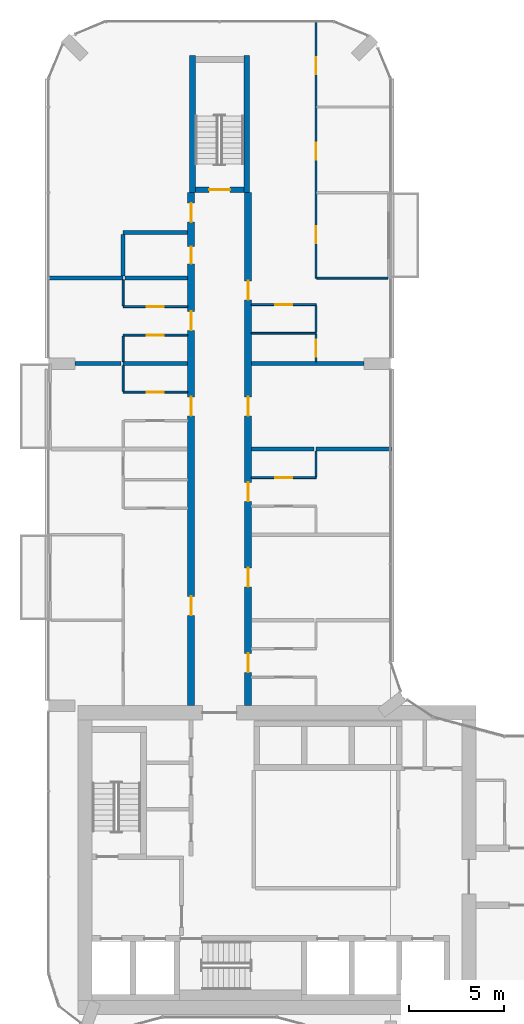
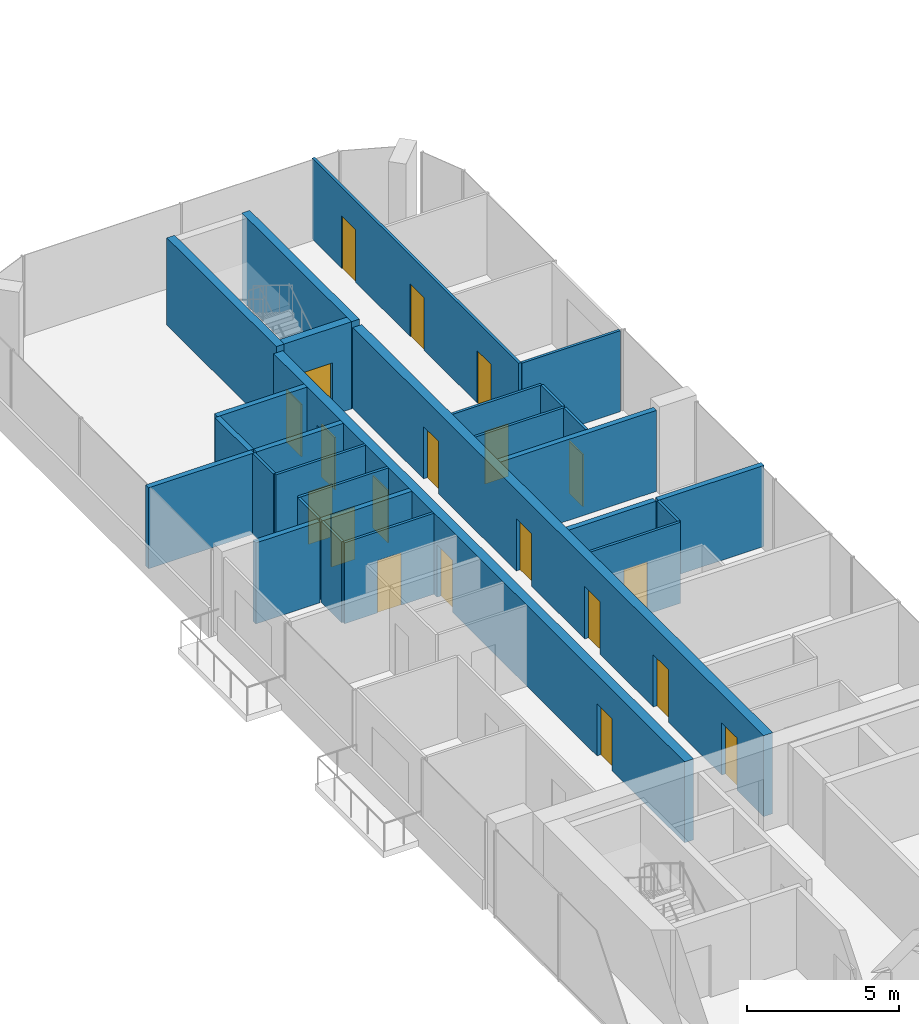
# One storey, part 17 of 24: 28 walls, 20 doors, 20 openings.
"""IFC4 building model written with IfcOpenShell, lengths in metres."""

from ifc_helpers import new_model, si_unit, direction, frame, frame_2d, origin, place, context, subcontext, project, spatial, rectangle, extrude, material, layer, layer_set, type_object, element, fill, save


model = new_model("IFC4")

# Units and contexts
model_context = context("Model", 3, precision=1e-05, world=origin(), true_north=direction((0.0, 1.0)))
body_context = subcontext(model_context, "Body", "Model", "MODEL_VIEW")
ifc_project = project(units=[si_unit("LENGTHUNIT", "METRE"), si_unit("AREAUNIT", "SQUARE_METRE"), si_unit("VOLUMEUNIT", "CUBIC_METRE"), si_unit("PLANEANGLEUNIT", "RADIAN"), si_unit("MASSUNIT", "GRAM", prefix="KILO")], contexts=[model_context])

# Site, building, storey
site_placement = place(None, origin())
site = spatial("IfcSite", under=ifc_project, at=site_placement, CompositionType="ELEMENT")
building_placement = place(site_placement, origin())
building = spatial("IfcBuilding", under=site, at=building_placement, Name="Plateau Cross Towers", CompositionType="ELEMENT")
storey_placement = place(building_placement, frame((0.0, 0.0, 44.300048828125)))
storey = spatial("IfcBuildingStorey", under=building, at=storey_placement, Name="L10", CompositionType="ELEMENT", Elevation=44.300048828125)

# Wall, openings, doors
ifc_material_1 = material(Name="Concrete C60/75", Category="concrete")
ifc_layer_1 = layer(ifc_material_1, 0.35009765625)
ifc_layer_set_1 = layer_set([ifc_layer_1], Name="Concrete C60/75")
wall_type_1 = type_object("IfcWallType", Name="Corridor wall 350", PredefinedType="SHEAR", material=ifc_layer_set_1)
wall_1_placement = place(storey_placement, frame((7.5, 18.0, 0.0), z_axis=(0.0, 0.0, 1.0), x_axis=(0.0, 1.0, 0.0)))
wall_1 = element("IfcWall", 1, at=wall_1_placement, inside=storey, type_object=wall_type_1, Name="A-cw-W1@L10", PredefinedType="SHEAR", context=body_context, shape_type="SweptSolid", body=[
    extrude(rectangle(XDim=27.0, YDim=0.35009765625, at=frame_2d((13.5, 0.0))), origin(), (0.0, 0.0, 1.0), 3.25),
])
opening_1_placement = place(wall_1_placement, frame((4.75, 0.0, 0.0)))
opening_1 = element("IfcOpeningElement", 2, at=opening_1_placement, cuts=wall_1, Name="Opening 10-09", PredefinedType="OPENING", context=body_context, shape_type="SweptSolid", body=[
    extrude(rectangle(XDim=1.0, YDim=2.10009765625, at=frame_2d((0.5, 1.050048828125))), frame((0.0, 0.18505859375, 0.0), z_axis=(0.0, -1.0, 0.0), x_axis=(1.0, 0.0, 0.0)), (0.0, 0.0, 1.0), 0.3701171875),
])
opening_2_placement = place(wall_1_placement, frame((15.25, 0.0, 0.0)))
opening_2 = element("IfcOpeningElement", 3, at=opening_2_placement, cuts=wall_1, Name="Opening 10-10", PredefinedType="OPENING", context=body_context, shape_type="SweptSolid", body=[
    extrude(rectangle(XDim=1.0, YDim=2.10009765625, at=frame_2d((0.5, 1.050048828125))), frame((0.0, 0.18505859375, 0.0), z_axis=(0.0, -1.0, 0.0), x_axis=(1.0, 0.0, 0.0)), (0.0, 0.0, 1.0), 0.3701171875),
])
opening_3_placement = place(wall_1_placement, frame((19.75, 0.0, 0.0)))
opening_3 = element("IfcOpeningElement", 4, at=opening_3_placement, cuts=wall_1, Name="Opening 10-11", PredefinedType="OPENING", context=body_context, shape_type="SweptSolid", body=[
    extrude(rectangle(XDim=1.0, YDim=2.10009765625, at=frame_2d((0.5, 1.050048828125))), frame((0.0, 0.18505859375, 0.0), z_axis=(0.0, -1.0, 0.0), x_axis=(1.0, 0.0, 0.0)), (0.0, 0.0, 1.0), 0.3701171875),
])
opening_4_placement = place(wall_1_placement, frame((23.25, 0.0, 0.0)))
opening_4 = element("IfcOpeningElement", 5, at=opening_4_placement, cuts=wall_1, Name="Opening 10-12", PredefinedType="OPENING", context=body_context, shape_type="SweptSolid", body=[
    extrude(rectangle(XDim=0.89990234375, YDim=2.10009765625, at=frame_2d((0.449951171875, 1.050048828125))), frame((0.0, 0.18505859375, 0.0), z_axis=(0.0, -1.0, 0.0), x_axis=(1.0, 0.0, 0.0)), (0.0, 0.0, 1.0), 0.3701171875),
])
opening_5_placement = place(wall_1_placement, frame((25.449951171875, 0.0, 0.0)))
opening_5 = element("IfcOpeningElement", 6, at=opening_5_placement, cuts=wall_1, Name="Opening 10-13", PredefinedType="OPENING", context=body_context, shape_type="SweptSolid", body=[
    extrude(rectangle(XDim=1.0, YDim=2.10009765625, at=frame_2d((0.5, 1.050048828125))), frame((0.0, 0.18505859375, 0.0), z_axis=(0.0, -1.0, 0.0), x_axis=(1.0, 0.0, 0.0)), (0.0, 0.0, 1.0), 0.3701171875),
])
ifc_material_2 = material(Name="Timber, fire-resisting leaf", Category="wood")
door_type_1 = type_object("IfcDoorType", Name="Flat entrance door 1000", OperationType="NOTDEFINED", PredefinedType="DOOR", material=ifc_material_2)
door_1_placement = place(opening_1_placement, origin())
door_1 = element("IfcDoor", 7, at=door_1_placement, inside=storey, type_object=door_type_1, Name="Door 10-09", OperationType="SINGLE_SWING_LEFT", OverallHeight=2.10009765625, OverallWidth=1.0, PredefinedType="DOOR", context=body_context, shape_type="SweptSolid", body=[
    extrude(rectangle(XDim=1.0, YDim=2.10009765625, at=frame_2d((0.5, 1.050048828125))), frame((0.0, 0.02490234375, 0.0), z_axis=(0.0, -1.0, 0.0), x_axis=(1.0, 0.0, 0.0)), (0.0, 0.0, 1.0), 0.050048828125),
])
fill(opening_1, door_1)
door_2_placement = place(opening_2_placement, origin())
door_2 = element("IfcDoor", 8, at=door_2_placement, inside=storey, type_object=door_type_1, Name="Door 10-10", OperationType="SINGLE_SWING_RIGHT", OverallHeight=2.10009765625, OverallWidth=1.0, PredefinedType="DOOR", context=body_context, shape_type="SweptSolid", body=[
    extrude(rectangle(XDim=1.0, YDim=2.10009765625, at=frame_2d((0.5, 1.050048828125))), frame((0.0, 0.02490234375, 0.0), z_axis=(0.0, -1.0, 0.0), x_axis=(1.0, 0.0, 0.0)), (0.0, 0.0, 1.0), 0.050048828125),
])
fill(opening_2, door_2)
door_3_placement = place(opening_3_placement, origin())
door_3 = element("IfcDoor", 9, at=door_3_placement, inside=storey, type_object=door_type_1, Name="Door 10-11", OperationType="SINGLE_SWING_RIGHT", OverallHeight=2.10009765625, OverallWidth=1.0, PredefinedType="DOOR", context=body_context, shape_type="SweptSolid", body=[
    extrude(rectangle(XDim=1.0, YDim=2.10009765625, at=frame_2d((0.5, 1.050048828125))), frame((0.0, 0.02490234375, 0.0), z_axis=(0.0, -1.0, 0.0), x_axis=(1.0, 0.0, 0.0)), (0.0, 0.0, 1.0), 0.050048828125),
])
fill(opening_3, door_3)
door_4_placement = place(opening_5_placement, origin())
door_4 = element("IfcDoor", 10, at=door_4_placement, inside=storey, type_object=door_type_1, Name="Door 10-13", OperationType="SINGLE_SWING_RIGHT", OverallHeight=2.10009765625, OverallWidth=1.0, PredefinedType="DOOR", context=body_context, shape_type="SweptSolid", body=[
    extrude(rectangle(XDim=1.0, YDim=2.10009765625, at=frame_2d((0.5, 1.050048828125))), frame((0.0, 0.02490234375, 0.0), z_axis=(0.0, -1.0, 0.0), x_axis=(1.0, 0.0, 0.0)), (0.0, 0.0, 1.0), 0.050048828125),
])
fill(opening_5, door_4)
door_type_2 = type_object("IfcDoorType", Name="Flat floor service door 900", OperationType="NOTDEFINED", PredefinedType="DOOR", material=ifc_material_2)
door_5_placement = place(opening_4_placement, origin())
door_5 = element("IfcDoor", 11, at=door_5_placement, inside=storey, type_object=door_type_2, Name="Door 10-12", OperationType="SINGLE_SWING_RIGHT", OverallHeight=2.10009765625, OverallWidth=0.89990234375, PredefinedType="DOOR", context=body_context, shape_type="SweptSolid", body=[
    extrude(rectangle(XDim=0.89990234375, YDim=2.10009765625, at=frame_2d((0.449951171875, 1.050048828125))), frame((0.0, 0.02490234375, 0.0), z_axis=(0.0, -1.0, 0.0), x_axis=(1.0, 0.0, 0.0)), (0.0, 0.0, 1.0), 0.050048828125),
])
fill(opening_4, door_5)

wall_2_placement = place(storey_placement, frame((10.5, 18.0, 0.0), z_axis=(0.0, 0.0, 1.0), x_axis=(0.0, 1.0, 0.0)))
wall_2 = element("IfcWall", 12, at=wall_2_placement, inside=storey, type_object=wall_type_1, Name="A-cw-W2@L10", PredefinedType="SHEAR", context=body_context, shape_type="SweptSolid", body=[
    extrude(rectangle(XDim=27.0, YDim=0.35009765625, at=frame_2d((13.5, 0.0))), origin(), (0.0, 0.0, 1.0), 3.25),
])
opening_6_placement = place(wall_2_placement, frame((1.75, 0.0, 0.0)))
opening_6 = element("IfcOpeningElement", 13, at=opening_6_placement, cuts=wall_2, Name="Opening 10-14", PredefinedType="OPENING", context=body_context, shape_type="SweptSolid", body=[
    extrude(rectangle(XDim=1.0, YDim=2.10009765625, at=frame_2d((0.5, 1.050048828125))), frame((0.0, 0.18505859375, 0.0), z_axis=(0.0, -1.0, 0.0), x_axis=(1.0, 0.0, 0.0)), (0.0, 0.0, 1.0), 0.3701171875),
])
opening_7_placement = place(wall_2_placement, frame((6.25, 0.0, 0.0)))
opening_7 = element("IfcOpeningElement", 14, at=opening_7_placement, cuts=wall_2, Name="Opening 10-15", PredefinedType="OPENING", context=body_context, shape_type="SweptSolid", body=[
    extrude(rectangle(XDim=1.0, YDim=2.10009765625, at=frame_2d((0.5, 1.050048828125))), frame((0.0, 0.18505859375, 0.0), z_axis=(0.0, -1.0, 0.0), x_axis=(1.0, 0.0, 0.0)), (0.0, 0.0, 1.0), 0.3701171875),
])
opening_8_placement = place(wall_2_placement, frame((10.75, 0.0, 0.0)))
opening_8 = element("IfcOpeningElement", 15, at=opening_8_placement, cuts=wall_2, Name="Opening 10-16", PredefinedType="OPENING", context=body_context, shape_type="SweptSolid", body=[
    extrude(rectangle(XDim=1.0, YDim=2.10009765625, at=frame_2d((0.5, 1.050048828125))), frame((0.0, 0.18505859375, 0.0), z_axis=(0.0, -1.0, 0.0), x_axis=(1.0, 0.0, 0.0)), (0.0, 0.0, 1.0), 0.3701171875),
])
opening_9_placement = place(wall_2_placement, frame((15.25, 0.0, 0.0)))
opening_9 = element("IfcOpeningElement", 16, at=opening_9_placement, cuts=wall_2, Name="Opening 10-17", PredefinedType="OPENING", context=body_context, shape_type="SweptSolid", body=[
    extrude(rectangle(XDim=1.0, YDim=2.10009765625, at=frame_2d((0.5, 1.050048828125))), frame((0.0, 0.18505859375, 0.0), z_axis=(0.0, -1.0, 0.0), x_axis=(1.0, 0.0, 0.0)), (0.0, 0.0, 1.0), 0.3701171875),
])
opening_10_placement = place(wall_2_placement, frame((21.35009765625, 0.0, 0.0)))
opening_10 = element("IfcOpeningElement", 17, at=opening_10_placement, cuts=wall_2, Name="Opening 10-18", PredefinedType="OPENING", context=body_context, shape_type="SweptSolid", body=[
    extrude(rectangle(XDim=1.0, YDim=2.10009765625, at=frame_2d((0.5, 1.050048828125))), frame((0.0, 0.18505859375, 0.0), z_axis=(0.0, -1.0, 0.0), x_axis=(1.0, 0.0, 0.0)), (0.0, 0.0, 1.0), 0.3701171875),
])
door_6_placement = place(opening_6_placement, origin())
door_6 = element("IfcDoor", 18, at=door_6_placement, inside=storey, type_object=door_type_1, Name="Door 10-14", OperationType="SINGLE_SWING_LEFT", OverallHeight=2.10009765625, OverallWidth=1.0, PredefinedType="DOOR", context=body_context, shape_type="SweptSolid", body=[
    extrude(rectangle(XDim=1.0, YDim=2.10009765625, at=frame_2d((0.5, 1.050048828125))), frame((0.0, 0.02490234375, 0.0), z_axis=(0.0, -1.0, 0.0), x_axis=(1.0, 0.0, 0.0)), (0.0, 0.0, 1.0), 0.050048828125),
])
fill(opening_6, door_6)
door_7_placement = place(opening_7_placement, origin())
door_7 = element("IfcDoor", 19, at=door_7_placement, inside=storey, type_object=door_type_1, Name="Door 10-15", OperationType="SINGLE_SWING_LEFT", OverallHeight=2.10009765625, OverallWidth=1.0, PredefinedType="DOOR", context=body_context, shape_type="SweptSolid", body=[
    extrude(rectangle(XDim=1.0, YDim=2.10009765625, at=frame_2d((0.5, 1.050048828125))), frame((0.0, 0.02490234375, 0.0), z_axis=(0.0, -1.0, 0.0), x_axis=(1.0, 0.0, 0.0)), (0.0, 0.0, 1.0), 0.050048828125),
])
fill(opening_7, door_7)
door_8_placement = place(opening_8_placement, origin())
door_8 = element("IfcDoor", 20, at=door_8_placement, inside=storey, type_object=door_type_1, Name="Door 10-16", OperationType="SINGLE_SWING_LEFT", OverallHeight=2.10009765625, OverallWidth=1.0, PredefinedType="DOOR", context=body_context, shape_type="SweptSolid", body=[
    extrude(rectangle(XDim=1.0, YDim=2.10009765625, at=frame_2d((0.5, 1.050048828125))), frame((0.0, 0.02490234375, 0.0), z_axis=(0.0, -1.0, 0.0), x_axis=(1.0, 0.0, 0.0)), (0.0, 0.0, 1.0), 0.050048828125),
])
fill(opening_8, door_8)
door_9_placement = place(opening_9_placement, origin())
door_9 = element("IfcDoor", 21, at=door_9_placement, inside=storey, type_object=door_type_1, Name="Door 10-17", OperationType="SINGLE_SWING_RIGHT", OverallHeight=2.10009765625, OverallWidth=1.0, PredefinedType="DOOR", context=body_context, shape_type="SweptSolid", body=[
    extrude(rectangle(XDim=1.0, YDim=2.10009765625, at=frame_2d((0.5, 1.050048828125))), frame((0.0, 0.02490234375, 0.0), z_axis=(0.0, -1.0, 0.0), x_axis=(1.0, 0.0, 0.0)), (0.0, 0.0, 1.0), 0.050048828125),
])
fill(opening_9, door_9)
door_10_placement = place(opening_10_placement, origin())
door_10 = element("IfcDoor", 22, at=door_10_placement, inside=storey, type_object=door_type_1, Name="Door 10-18", OperationType="SINGLE_SWING_RIGHT", OverallHeight=2.10009765625, OverallWidth=1.0, PredefinedType="DOOR", context=body_context, shape_type="SweptSolid", body=[
    extrude(rectangle(XDim=1.0, YDim=2.10009765625, at=frame_2d((0.5, 1.050048828125))), frame((0.0, 0.02490234375, 0.0), z_axis=(0.0, -1.0, 0.0), x_axis=(1.0, 0.0, 0.0)), (0.0, 0.0, 1.0), 0.050048828125),
])
fill(opening_10, door_10)

# Wall, opening, door
ifc_material_3 = material(Name="Gypsum board on steel studs", Category="steel")
ifc_layer_2 = layer(ifc_material_3, 0.10009765625)
ifc_layer_set_2 = layer_set([ifc_layer_2], Name="Gypsum board on steel studs")
wall_type_2 = type_object("IfcWallType", Name="Flat partition 100", PredefinedType="PARTITIONING", material=ifc_layer_set_2)
wall_3_placement = place(storey_placement, frame((10.675048828125, 30.0, 0.0), z_axis=(0.0, 0.0, 1.0), x_axis=(1.0, 0.0, 0.0)))
wall_3 = element("IfcWall", 23, at=wall_3_placement, inside=storey, type_object=wall_type_2, Name="Partition wall", PredefinedType="PARTITIONING", context=body_context, shape_type="SweptSolid", body=[
    extrude(rectangle(XDim=3.39990234375, YDim=0.10009765625, at=frame_2d((1.699951171875, 0.0))), origin(), (0.0, 0.0, 1.0), 3.25),
])
opening_11_placement = place(wall_3_placement, frame((1.25, 0.0, 0.0)))
opening_11 = element("IfcOpeningElement", 24, at=opening_11_placement, cuts=wall_3, Name="Opening 10-43", PredefinedType="OPENING", context=body_context, shape_type="SweptSolid", body=[
    extrude(rectangle(XDim=0.89990234375, YDim=2.10009765625, at=frame_2d((0.449951171875, 1.050048828125))), frame((0.0, 0.06005859375, 0.0), z_axis=(0.0, -1.0, 0.0), x_axis=(1.0, 0.0, 0.0)), (0.0, 0.0, 1.0), 0.1201171875),
])
ifc_material_4 = material(Name="Timber leaf", Category="wood")
door_type_3 = type_object("IfcDoorType", Name="Flat room door 900", OperationType="NOTDEFINED", PredefinedType="DOOR", material=ifc_material_4)
door_11_placement = place(opening_11_placement, origin())
door_11 = element("IfcDoor", 25, at=door_11_placement, inside=storey, type_object=door_type_3, Name="Door 10-43", OperationType="SINGLE_SWING_RIGHT", OverallHeight=2.10009765625, OverallWidth=0.89990234375, PredefinedType="DOOR", context=body_context, shape_type="SweptSolid", body=[
    extrude(rectangle(XDim=0.89990234375, YDim=2.10009765625, at=frame_2d((0.449951171875, 1.050048828125))), frame((0.0, 0.02490234375, 0.0), z_axis=(0.0, -1.0, 0.0), x_axis=(1.0, 0.0, 0.0)), (0.0, 0.0, 1.0), 0.050048828125),
])
fill(opening_11, door_11)

wall_4_placement = place(storey_placement, frame((3.925048828125, 34.5, 0.0), z_axis=(0.0, 0.0, 1.0), x_axis=(1.0, 0.0, 0.0)))
wall_4 = element("IfcWall", 26, at=wall_4_placement, inside=storey, type_object=wall_type_2, Name="Partition wall", PredefinedType="PARTITIONING", context=body_context, shape_type="SweptSolid", body=[
    extrude(rectangle(XDim=3.39990234375, YDim=0.10009765625, at=frame_2d((1.699951171875, 0.0))), origin(), (0.0, 0.0, 1.0), 3.25),
])
opening_12_placement = place(wall_4_placement, frame((1.25, 0.0, 0.0)))
opening_12 = element("IfcOpeningElement", 27, at=opening_12_placement, cuts=wall_4, Name="Opening 10-37", PredefinedType="OPENING", context=body_context, shape_type="SweptSolid", body=[
    extrude(rectangle(XDim=0.89990234375, YDim=2.10009765625, at=frame_2d((0.449951171875, 1.050048828125))), frame((0.0, 0.06005859375, 0.0), z_axis=(0.0, -1.0, 0.0), x_axis=(1.0, 0.0, 0.0)), (0.0, 0.0, 1.0), 0.1201171875),
])
door_12_placement = place(opening_12_placement, origin())
door_12 = element("IfcDoor", 28, at=door_12_placement, inside=storey, type_object=door_type_3, Name="Door 10-37", OperationType="SINGLE_SWING_LEFT", OverallHeight=2.10009765625, OverallWidth=0.89990234375, PredefinedType="DOOR", context=body_context, shape_type="SweptSolid", body=[
    extrude(rectangle(XDim=0.89990234375, YDim=2.10009765625, at=frame_2d((0.449951171875, 1.050048828125))), frame((0.0, 0.02490234375, 0.0), z_axis=(0.0, -1.0, 0.0), x_axis=(1.0, 0.0, 0.0)), (0.0, 0.0, 1.0), 0.050048828125),
])
fill(opening_12, door_12)

wall_5_placement = place(storey_placement, frame((7.324951171875, 37.5, 0.0), z_axis=(0.0, 0.0, 1.0), x_axis=(-1.0, 0.0, 0.0)))
wall_5 = element("IfcWall", 29, at=wall_5_placement, inside=storey, type_object=wall_type_2, Name="Partition wall", PredefinedType="PARTITIONING", context=body_context, shape_type="SweptSolid", body=[
    extrude(rectangle(XDim=3.39990234375, YDim=0.10009765625, at=frame_2d((1.699951171875, 0.0))), origin(), (0.0, 0.0, 1.0), 3.25),
])
opening_13_placement = place(wall_5_placement, frame((1.25, 0.0, 0.0)))
opening_13 = element("IfcOpeningElement", 30, at=opening_13_placement, cuts=wall_5, Name="Opening 10-38", PredefinedType="OPENING", context=body_context, shape_type="SweptSolid", body=[
    extrude(rectangle(XDim=0.89990234375, YDim=2.10009765625, at=frame_2d((0.449951171875, 1.050048828125))), frame((0.0, 0.06005859375, 0.0), z_axis=(0.0, -1.0, 0.0), x_axis=(1.0, 0.0, 0.0)), (0.0, 0.0, 1.0), 0.1201171875),
])
door_13_placement = place(opening_13_placement, origin())
door_13 = element("IfcDoor", 31, at=door_13_placement, inside=storey, type_object=door_type_3, Name="Door 10-38", OperationType="SINGLE_SWING_LEFT", OverallHeight=2.10009765625, OverallWidth=0.89990234375, PredefinedType="DOOR", context=body_context, shape_type="SweptSolid", body=[
    extrude(rectangle(XDim=0.89990234375, YDim=2.10009765625, at=frame_2d((0.449951171875, 1.050048828125))), frame((0.0, 0.02490234375, 0.0), z_axis=(0.0, -1.0, 0.0), x_axis=(1.0, 0.0, 0.0)), (0.0, 0.0, 1.0), 0.050048828125),
])
fill(opening_13, door_13)

# Wall
wall_6_placement = place(storey_placement, frame((14.074951171875, 37.60009765625, 0.0), z_axis=(0.0, 0.0, 1.0), x_axis=(-1.0, 0.0, 0.0)))
element("IfcWall", 32, at=wall_6_placement, inside=storey, type_object=wall_type_2, Name="Partition wall", PredefinedType="PARTITIONING", context=body_context, shape_type="SweptSolid", body=[
    extrude(rectangle(XDim=3.39990234375, YDim=0.10009765625, at=frame_2d((1.699951171875, 0.0))), origin(), (0.0, 0.0, 1.0), 3.25),
])

# Wall, opening, door
wall_7_placement = place(storey_placement, frame((3.925048828125, 39.0, 0.0), z_axis=(0.0, 0.0, 1.0), x_axis=(1.0, 0.0, 0.0)))
wall_7 = element("IfcWall", 33, at=wall_7_placement, inside=storey, type_object=wall_type_2, Name="Partition wall", PredefinedType="PARTITIONING", context=body_context, shape_type="SweptSolid", body=[
    extrude(rectangle(XDim=3.39990234375, YDim=0.10009765625, at=frame_2d((1.699951171875, 0.0))), origin(), (0.0, 0.0, 1.0), 3.25),
])
opening_14_placement = place(wall_7_placement, frame((1.25, 0.0, 0.0)))
opening_14 = element("IfcOpeningElement", 34, at=opening_14_placement, cuts=wall_7, Name="Opening 10-39", PredefinedType="OPENING", context=body_context, shape_type="SweptSolid", body=[
    extrude(rectangle(XDim=0.89990234375, YDim=2.10009765625, at=frame_2d((0.449951171875, 1.050048828125))), frame((0.0, 0.06005859375, 0.0), z_axis=(0.0, -1.0, 0.0), x_axis=(1.0, 0.0, 0.0)), (0.0, 0.0, 1.0), 0.1201171875),
])
door_14_placement = place(opening_14_placement, origin())
door_14 = element("IfcDoor", 35, at=door_14_placement, inside=storey, type_object=door_type_3, Name="Door 10-39", OperationType="SINGLE_SWING_LEFT", OverallHeight=2.10009765625, OverallWidth=0.89990234375, PredefinedType="DOOR", context=body_context, shape_type="SweptSolid", body=[
    extrude(rectangle(XDim=0.89990234375, YDim=2.10009765625, at=frame_2d((0.449951171875, 1.050048828125))), frame((0.0, 0.02490234375, 0.0), z_axis=(0.0, -1.0, 0.0), x_axis=(1.0, 0.0, 0.0)), (0.0, 0.0, 1.0), 0.050048828125),
])
fill(opening_14, door_14)

wall_8_placement = place(storey_placement, frame((14.074951171875, 39.10009765625, 0.0), z_axis=(0.0, 0.0, 1.0), x_axis=(-1.0, 0.0, 0.0)))
wall_8 = element("IfcWall", 36, at=wall_8_placement, inside=storey, type_object=wall_type_2, Name="Partition wall", PredefinedType="PARTITIONING", context=body_context, shape_type="SweptSolid", body=[
    extrude(rectangle(XDim=3.39990234375, YDim=0.10009765625, at=frame_2d((1.699951171875, 0.0))), origin(), (0.0, 0.0, 1.0), 3.25),
])
opening_15_placement = place(wall_8_placement, frame((1.25, 0.0, 0.0)))
opening_15 = element("IfcOpeningElement", 37, at=opening_15_placement, cuts=wall_8, Name="Opening 10-45", PredefinedType="OPENING", context=body_context, shape_type="SweptSolid", body=[
    extrude(rectangle(XDim=0.89990234375, YDim=2.10009765625, at=frame_2d((0.449951171875, 1.050048828125))), frame((0.0, 0.06005859375, 0.0), z_axis=(0.0, -1.0, 0.0), x_axis=(1.0, 0.0, 0.0)), (0.0, 0.0, 1.0), 0.1201171875),
])
door_15_placement = place(opening_15_placement, origin())
door_15 = element("IfcDoor", 38, at=door_15_placement, inside=storey, type_object=door_type_3, Name="Door 10-45", OperationType="SINGLE_SWING_RIGHT", OverallHeight=2.10009765625, OverallWidth=0.89990234375, PredefinedType="DOOR", context=body_context, shape_type="SweptSolid", body=[
    extrude(rectangle(XDim=0.89990234375, YDim=2.10009765625, at=frame_2d((0.449951171875, 1.050048828125))), frame((0.0, 0.02490234375, 0.0), z_axis=(0.0, -1.0, 0.0), x_axis=(1.0, 0.0, 0.0)), (0.0, 0.0, 1.0), 0.050048828125),
])
fill(opening_15, door_15)

# Walls
wall_9_placement = place(storey_placement, frame((14.125, 40.5, 0.0), z_axis=(0.0, 0.0, 1.0), x_axis=(1.0, 0.0, 0.0)))
element("IfcWall", 39, at=wall_9_placement, inside=storey, type_object=wall_type_2, Name="Partition wall", PredefinedType="PARTITIONING", context=body_context, shape_type="SweptSolid", body=[
    extrude(rectangle(XDim=3.72509765625, YDim=0.10009765625, at=frame_2d((1.862548828125, 0.0))), origin(), (0.0, 0.0, 1.0), 3.25),
])
for number, where, z_axis, x_axis, name in (
    (40, (3.925048828125, 35.89990234375, 0.0), (0.0, 0.0, 1.0), (0.0, -1.0, 0.0), "Partition wall"),
    (41, (3.925048828125, 37.449951171875, 0.0), (0.0, 0.0, 1.0), (0.0, -1.0, 0.0), "Partition wall"),
    (42, (3.925048828125, 40.39990234375, 0.0), (0.0, 0.0, 1.0), (0.0, -1.0, 0.0), "Partition wall"),
):
    element("IfcWall", number, at=place(storey_placement, frame(where, z_axis=z_axis, x_axis=x_axis)), inside=storey, type_object=wall_type_2, Name=name, PredefinedType="PARTITIONING", context=body_context, shape_type="SweptSolid", body=[
        extrude(rectangle(XDim=1.349853515625, YDim=0.10009765625, at=frame_2d((0.6748046875, 0.0))), origin(), (0.0, 0.0, 1.0), 3.25),
    ])

# Wall, openings, doors
wall_10_placement = place(storey_placement, frame((14.074951171875, 54.080078125, 0.0), z_axis=(0.0, 0.0, 1.0), x_axis=(0.0, -1.0, 0.0)))
wall_10 = element("IfcWall", 43, at=wall_10_placement, inside=storey, type_object=wall_type_2, Name="Partition wall", PredefinedType="PARTITIONING", context=body_context, shape_type="SweptSolid", body=[
    extrude(rectangle(XDim=13.580078125, YDim=0.10009765625, at=frame_2d((6.7900390625, 0.0))), origin(), (0.0, 0.0, 1.0), 3.25),
])
opening_16_placement = place(wall_10_placement, frame((10.85009765625, 0.0, 0.0)))
opening_16 = element("IfcOpeningElement", 44, at=opening_16_placement, cuts=wall_10, Name="Opening 10-46", PredefinedType="OPENING", context=body_context, shape_type="SweptSolid", body=[
    extrude(rectangle(XDim=0.89990234375, YDim=2.10009765625, at=frame_2d((0.449951171875, 1.050048828125))), frame((0.0, 0.06005859375, 0.0), z_axis=(0.0, -1.0, 0.0), x_axis=(1.0, 0.0, 0.0)), (0.0, 0.0, 1.0), 0.1201171875),
])
opening_17_placement = place(wall_10_placement, frame((6.449951171875, 0.0, 0.0)))
opening_17 = element("IfcOpeningElement", 45, at=opening_17_placement, cuts=wall_10, Name="Opening 10-47", PredefinedType="OPENING", context=body_context, shape_type="SweptSolid", body=[
    extrude(rectangle(XDim=0.89990234375, YDim=2.10009765625, at=frame_2d((0.449951171875, 1.050048828125))), frame((0.0, 0.06005859375, 0.0), z_axis=(0.0, -1.0, 0.0), x_axis=(1.0, 0.0, 0.0)), (0.0, 0.0, 1.0), 0.1201171875),
])
opening_18_placement = place(wall_10_placement, frame((1.949951171875, 0.0, 0.0)))
opening_18 = element("IfcOpeningElement", 46, at=opening_18_placement, cuts=wall_10, Name="Opening 10-48", PredefinedType="OPENING", context=body_context, shape_type="SweptSolid", body=[
    extrude(rectangle(XDim=0.89990234375, YDim=2.10009765625, at=frame_2d((0.449951171875, 1.050048828125))), frame((0.0, 0.06005859375, 0.0), z_axis=(0.0, -1.0, 0.0), x_axis=(1.0, 0.0, 0.0)), (0.0, 0.0, 1.0), 0.1201171875),
])
door_16_placement = place(opening_16_placement, origin())
door_16 = element("IfcDoor", 47, at=door_16_placement, inside=storey, type_object=door_type_3, Name="Door 10-46", OperationType="SINGLE_SWING_RIGHT", OverallHeight=2.10009765625, OverallWidth=0.89990234375, PredefinedType="DOOR", context=body_context, shape_type="SweptSolid", body=[
    extrude(rectangle(XDim=0.89990234375, YDim=2.10009765625, at=frame_2d((0.449951171875, 1.050048828125))), frame((0.0, 0.02490234375, 0.0), z_axis=(0.0, -1.0, 0.0), x_axis=(1.0, 0.0, 0.0)), (0.0, 0.0, 1.0), 0.050048828125),
])
fill(opening_16, door_16)
door_17_placement = place(opening_17_placement, origin())
door_17 = element("IfcDoor", 48, at=door_17_placement, inside=storey, type_object=door_type_3, Name="Door 10-47", OperationType="SINGLE_SWING_RIGHT", OverallHeight=2.10009765625, OverallWidth=0.89990234375, PredefinedType="DOOR", context=body_context, shape_type="SweptSolid", body=[
    extrude(rectangle(XDim=0.89990234375, YDim=2.10009765625, at=frame_2d((0.449951171875, 1.050048828125))), frame((0.0, 0.02490234375, 0.0), z_axis=(0.0, -1.0, 0.0), x_axis=(1.0, 0.0, 0.0)), (0.0, 0.0, 1.0), 0.050048828125),
])
fill(opening_17, door_17)
door_18_placement = place(opening_18_placement, origin())
door_18 = element("IfcDoor", 49, at=door_18_placement, inside=storey, type_object=door_type_3, Name="Door 10-48", OperationType="SINGLE_SWING_LEFT", OverallHeight=2.10009765625, OverallWidth=0.89990234375, PredefinedType="DOOR", context=body_context, shape_type="SweptSolid", body=[
    extrude(rectangle(XDim=0.89990234375, YDim=2.10009765625, at=frame_2d((0.449951171875, 1.050048828125))), frame((0.0, 0.02490234375, 0.0), z_axis=(0.0, -1.0, 0.0), x_axis=(1.0, 0.0, 0.0)), (0.0, 0.0, 1.0), 0.050048828125),
])
fill(opening_18, door_18)

# Wall
wall_11_placement = place(storey_placement, frame((14.074951171875, 30.050048828125, 0.0), z_axis=(0.0, 0.0, 1.0), x_axis=(0.0, 1.0, 0.0)))
element("IfcWall", 50, at=wall_11_placement, inside=storey, type_object=wall_type_2, Name="Partition wall", PredefinedType="PARTITIONING", context=body_context, shape_type="SweptSolid", body=[
    extrude(rectangle(XDim=1.349853515625, YDim=0.10009765625, at=frame_2d((0.6748046875, 0.0))), origin(), (0.0, 0.0, 1.0), 3.25),
])

# Wall, opening, door
wall_12_placement = place(storey_placement, frame((14.074951171875, 36.10009765625, 0.0), z_axis=(0.0, 0.0, 1.0), x_axis=(0.0, 1.0, 0.0)))
wall_12 = element("IfcWall", 51, at=wall_12_placement, inside=storey, type_object=wall_type_2, Name="Partition wall", PredefinedType="PARTITIONING", context=body_context, shape_type="SweptSolid", body=[
    extrude(rectangle(XDim=1.449951171875, YDim=0.10009765625, at=frame_2d((0.72509765625, 0.0))), origin(), (0.0, 0.0, 1.0), 3.25),
])
opening_19_placement = place(wall_12_placement, frame((0.25, 0.0, 0.0)))
opening_19 = element("IfcOpeningElement", 52, at=opening_19_placement, cuts=wall_12, Name="Opening 10-44", PredefinedType="OPENING", context=body_context, shape_type="SweptSolid", body=[
    extrude(rectangle(XDim=0.89990234375, YDim=2.10009765625, at=frame_2d((0.449951171875, 1.050048828125))), frame((0.0, 0.06005859375, 0.0), z_axis=(0.0, -1.0, 0.0), x_axis=(1.0, 0.0, 0.0)), (0.0, 0.0, 1.0), 0.1201171875),
])
door_19_placement = place(opening_19_placement, origin())
door_19 = element("IfcDoor", 53, at=door_19_placement, inside=storey, type_object=door_type_3, Name="Door 10-44", OperationType="SINGLE_SWING_LEFT", OverallHeight=2.10009765625, OverallWidth=0.89990234375, PredefinedType="DOOR", context=body_context, shape_type="SweptSolid", body=[
    extrude(rectangle(XDim=0.89990234375, YDim=2.10009765625, at=frame_2d((0.449951171875, 1.050048828125))), frame((0.0, 0.02490234375, 0.0), z_axis=(0.0, -1.0, 0.0), x_axis=(1.0, 0.0, 0.0)), (0.0, 0.0, 1.0), 0.050048828125),
])
fill(opening_19, door_19)

# Walls
wall_13_placement = place(storey_placement, frame((14.074951171875, 37.64990234375, 0.0), z_axis=(0.0, 0.0, 1.0), x_axis=(0.0, 1.0, 0.0)))
element("IfcWall", 54, at=wall_13_placement, inside=storey, type_object=wall_type_2, Name="Partition wall", PredefinedType="PARTITIONING", context=body_context, shape_type="SweptSolid", body=[
    extrude(rectangle(XDim=1.400146484375, YDim=0.10009765625, at=frame_2d((0.7001953125, 0.0))), origin(), (0.0, 0.0, 1.0), 3.25),
])
ifc_material_5 = material(Name="Gypsum board on steel studs, two layers each side", Category="steel")
ifc_layer_3 = layer(ifc_material_5, 0.199951171875)
ifc_layer_set_3 = layer_set([ifc_layer_3], Name="Gypsum board on steel studs, two layers each side")
wall_type_3 = type_object("IfcWallType", Name="Flat party wall 200", PredefinedType="PARTITIONING", material=ifc_layer_set_3)
wall_14_placement = place(storey_placement, frame((13.97509765625, 31.5, 0.0), z_axis=(0.0, 0.0, 1.0), x_axis=(-1.0, 0.0, 0.0)))
element("IfcWall", 55, at=wall_14_placement, inside=storey, type_object=wall_type_3, Name="Party wall", PredefinedType="PARTITIONING", context=body_context, shape_type="SweptSolid", body=[
    extrude(rectangle(XDim=3.300048828125, YDim=0.199951171875, at=frame_2d((1.64990234375, 0.0))), origin(), (0.0, 0.0, 1.0), 3.25),
])
wall_15_placement = place(storey_placement, frame((14.074951171875, 31.5, 0.0), z_axis=(0.0, 0.0, 1.0), x_axis=(1.0, 0.0, 0.0)))
element("IfcWall", 56, at=wall_15_placement, inside=storey, type_object=wall_type_3, Name="Party wall", PredefinedType="PARTITIONING", context=body_context, shape_type="SweptSolid", body=[
    extrude(rectangle(XDim=4.005126953125, YDim=0.199951171875, at=frame_2d((2.00244140625, 0.0))), origin(), (0.0, 0.0, 1.0), 3.25),
])
wall_16_placement = place(storey_placement, frame((7.324951171875, 36.0, 0.0), z_axis=(0.0, 0.0, 1.0), x_axis=(-1.0, 0.0, 0.0)))
element("IfcWall", 57, at=wall_16_placement, inside=storey, type_object=wall_type_3, Name="Party wall", PredefinedType="PARTITIONING", context=body_context, shape_type="SweptSolid", body=[
    extrude(rectangle(XDim=3.39990234375, YDim=0.199951171875, at=frame_2d((1.699951171875, 0.0))), origin(), (0.0, 0.0, 1.0), 3.25),
])
wall_17_placement = place(storey_placement, frame((16.60009765625, 36.0, 0.0), z_axis=(0.0, 0.0, 1.0), x_axis=(-1.0, 0.0, 0.0)))
element("IfcWall", 58, at=wall_17_placement, inside=storey, type_object=wall_type_3, Name="Party wall", PredefinedType="PARTITIONING", context=body_context, shape_type="SweptSolid", body=[
    extrude(rectangle(XDim=5.925048828125, YDim=0.199951171875, at=frame_2d((2.96240234375, 0.0))), origin(), (0.0, 0.0, 1.0), 3.25),
])
wall_18_placement = place(storey_placement, frame((1.39990234375, 36.0, 0.0), z_axis=(0.0, 0.0, 1.0), x_axis=(1.0, 0.0, 0.0)))
element("IfcWall", 59, at=wall_18_placement, inside=storey, type_object=wall_type_3, Name="Party wall", PredefinedType="PARTITIONING", context=body_context, shape_type="SweptSolid", body=[
    extrude(rectangle(XDim=2.425048828125, YDim=0.199951171875, at=frame_2d((1.21240234375, 0.0))), origin(), (0.0, 0.0, 1.0), 3.25),
])
wall_19_placement = place(storey_placement, frame((7.324951171875, 40.5, 0.0), z_axis=(0.0, 0.0, 1.0), x_axis=(-1.0, 0.0, 0.0)))
element("IfcWall", 60, at=wall_19_placement, inside=storey, type_object=wall_type_3, Name="Party wall", PredefinedType="PARTITIONING", context=body_context, shape_type="SweptSolid", body=[
    extrude(rectangle(XDim=3.300048828125, YDim=0.199951171875, at=frame_2d((1.64990234375, 0.0))), origin(), (0.0, 0.0, 1.0), 3.25),
])
wall_20_placement = place(storey_placement, frame((-0.080078125, 40.5, 0.0), z_axis=(0.0, 0.0, 1.0), x_axis=(1.0, 0.0, 0.0)))
element("IfcWall", 61, at=wall_20_placement, inside=storey, type_object=wall_type_3, Name="Party wall", PredefinedType="PARTITIONING", context=body_context, shape_type="SweptSolid", body=[
    extrude(rectangle(XDim=4.005126953125, YDim=0.199951171875, at=frame_2d((2.00244140625, 0.0))), origin(), (0.0, 0.0, 1.0), 3.25),
])
wall_21_placement = place(storey_placement, frame((7.324951171875, 42.89990234375, 0.0), z_axis=(0.0, 0.0, 1.0), x_axis=(-1.0, 0.0, 0.0)))
element("IfcWall", 62, at=wall_21_placement, inside=storey, type_object=wall_type_3, Name="Party wall", PredefinedType="PARTITIONING", context=body_context, shape_type="SweptSolid", body=[
    extrude(rectangle(XDim=3.39990234375, YDim=0.199951171875, at=frame_2d((1.699951171875, 0.0))), origin(), (0.0, 0.0, 1.0), 3.25),
])
wall_22_placement = place(storey_placement, frame((3.925048828125, 42.800048828125, 0.0), z_axis=(0.0, 0.0, 1.0), x_axis=(0.0, -1.0, 0.0)))
element("IfcWall", 63, at=wall_22_placement, inside=storey, type_object=wall_type_3, Name="Party wall", PredefinedType="PARTITIONING", context=body_context, shape_type="SweptSolid", body=[
    extrude(rectangle(XDim=2.199951171875, YDim=0.199951171875, at=frame_2d((1.10009765625, 0.0))), origin(), (0.0, 0.0, 1.0), 3.25),
])

# Wall, opening, door
ifc_layer_4 = layer(ifc_material_1, 0.300048828125)
ifc_layer_set_4 = layer_set([ifc_layer_4], Name="Concrete C60/75")
wall_type_4 = type_object("IfcWallType", Name="Stair tower wall 300", PredefinedType="SHEAR", material=ifc_layer_set_4)
wall_23_placement = place(storey_placement, frame((7.72509765625, 45.14990234375, 0.0), z_axis=(0.0, 0.0, 1.0), x_axis=(1.0, 0.0, 0.0)))
wall_23 = element("IfcWall", 64, at=wall_23_placement, inside=storey, type_object=wall_type_4, Name="A-end-N-S@L10", PredefinedType="SHEAR", context=body_context, shape_type="SweptSolid", body=[
    extrude(rectangle(XDim=2.5498046875, YDim=0.300048828125, at=frame_2d((1.27490234375, 0.0))), origin(), (0.0, 0.0, 1.0), 3.5),
])
opening_20_placement = place(wall_23_placement, frame((0.72509765625, 0.0, 0.0)))
opening_20 = element("IfcOpeningElement", 65, at=opening_20_placement, cuts=wall_23, Name="Opening SD", PredefinedType="OPENING", context=body_context, shape_type="SweptSolid", body=[
    extrude(rectangle(XDim=1.10009765625, YDim=2.10009765625, at=frame_2d((0.550048828125, 1.050048828125))), frame((0.0, 0.159912109375, 0.0), z_axis=(0.0, -1.0, 0.0), x_axis=(1.0, 0.0, 0.0)), (0.0, 0.0, 1.0), 0.320068359375),
])
ifc_material_6 = material(Name="Steel, fire-resisting leaf", Category="steel")
door_type_4 = type_object("IfcDoorType", Name="Stair door 1100", OperationType="NOTDEFINED", PredefinedType="DOOR", material=ifc_material_6)
door_20_placement = place(opening_20_placement, origin())
door_20 = element("IfcDoor", 66, at=door_20_placement, inside=storey, type_object=door_type_4, Name="Stair door SD", OperationType="SINGLE_SWING_LEFT", OverallHeight=2.10009765625, OverallWidth=1.10009765625, PredefinedType="DOOR", context=body_context, shape_type="SweptSolid", body=[
    extrude(rectangle(XDim=1.10009765625, YDim=2.10009765625, at=frame_2d((0.550048828125, 1.050048828125))), frame((0.0, 0.02490234375, 0.0), z_axis=(0.0, -1.0, 0.0), x_axis=(1.0, 0.0, 0.0)), (0.0, 0.0, 1.0), 0.050048828125),
])
fill(opening_20, door_20)

# Walls
for number, where, z_axis, x_axis, name in (
    (67, (7.574951171875, 45.0, 0.0), (0.0, 0.0, 1.0), (0.0, 1.0, 0.0), "A-end-N-W@L10"),
    (68, (10.425048828125, 45.0, 0.0), (0.0, 0.0, 1.0), (0.0, 1.0, 0.0), "A-end-N-E@L10"),
):
    element("IfcWall", number, at=place(storey_placement, frame(where, z_axis=z_axis, x_axis=x_axis)), inside=storey, type_object=wall_type_4, Name=name, PredefinedType="SHEAR", context=body_context, shape_type="SweptSolid", body=[
        extrude(rectangle(XDim=7.199951171875, YDim=0.300048828125, at=frame_2d((3.60009765625, 0.0))), origin(), (0.0, 0.0, 1.0), 3.5),
    ])

save(model, "model.ifc")
